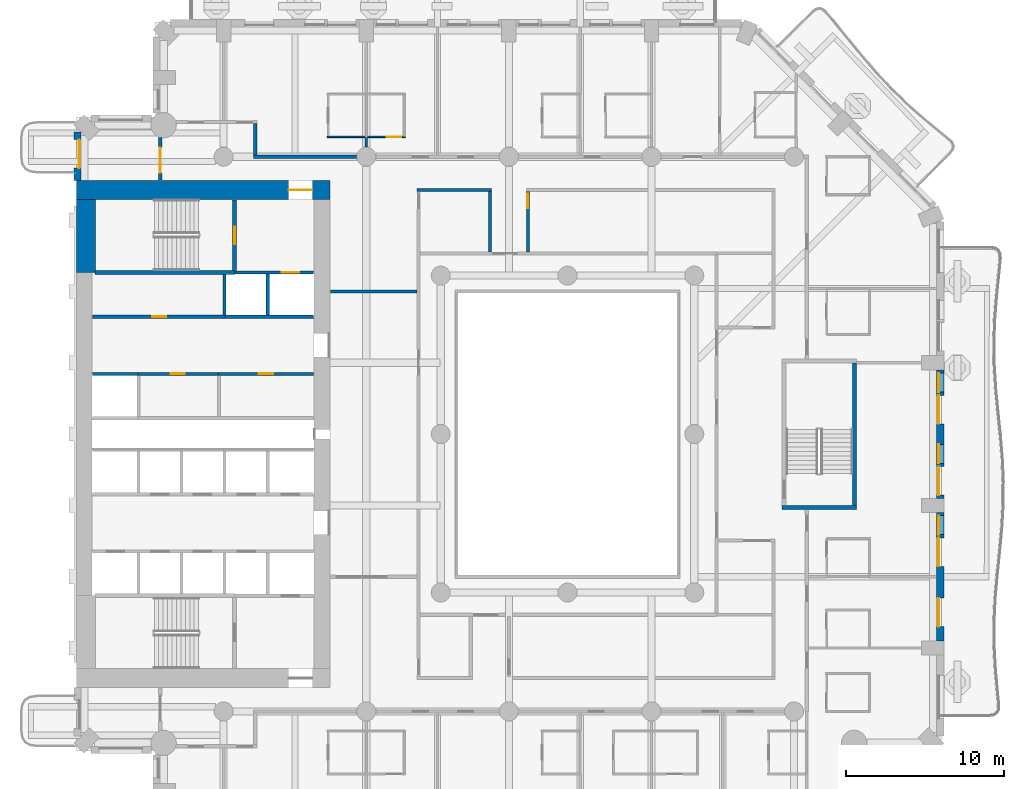
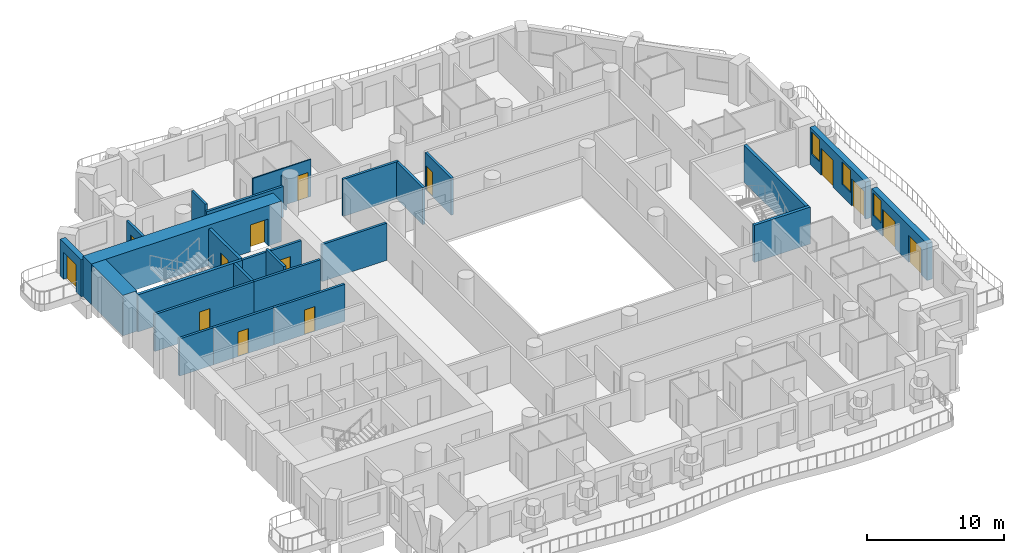
# One storey, part 7 of 20: 26 walls, 14 doors, 3 windows, 17 openings.
"""IFC4 building model written with IfcOpenShell, lengths in metres."""

from ifc_helpers import new_model, si_unit, direction, frame, frame_2d, origin, place, context, subcontext, project, spatial, rectangle, extrude, material, layer, layer_set, type_object, element, fill, save


model = new_model("IFC4")

# Units and contexts
model_context = context("Model", 3, precision=1e-05, world=origin(), true_north=direction((0.0, 1.0)))
body_context = subcontext(model_context, "Body", "Model", "MODEL_VIEW")
ifc_project = project(units=[si_unit("LENGTHUNIT", "METRE"), si_unit("AREAUNIT", "SQUARE_METRE"), si_unit("VOLUMEUNIT", "CUBIC_METRE"), si_unit("PLANEANGLEUNIT", "RADIAN"), si_unit("MASSUNIT", "GRAM", prefix="KILO")], contexts=[model_context])

# Site, building, storey
site_placement = place(None, origin())
site = spatial("IfcSite", under=ifc_project, at=site_placement, CompositionType="ELEMENT")
building_placement = place(site_placement, origin())
building = spatial("IfcBuilding", under=site, at=building_placement, Name="Cypress Arch Tower", CompositionType="ELEMENT")
storey_placement = place(building_placement, frame((0.0, 0.0, 59.10009765625)))
storey = spatial("IfcBuildingStorey", under=building, at=storey_placement, Name="L08", CompositionType="ELEMENT", Elevation=59.10009765625)

# Wall, opening, door
ifc_material_1 = material(Name="Brick (red buff blend)", Category="masonry")
ifc_layer_1 = layer(ifc_material_1, 0.449951171875)
ifc_layer_set_1 = layer_set([ifc_layer_1], Name="Brick pier and spandrel wall BW450")
wall_type_1 = type_object("IfcWallType", Name="Brick pier and spandrel wall BW450", PredefinedType="SOLIDWALL", material=ifc_layer_set_1)
wall_1_placement = place(storey_placement, frame((-29.925048828125, 19.063720703125, 0.0), z_axis=(0.0, 0.0, 1.0), x_axis=(0.0, -1.0, 0.0)))
wall_1 = element("IfcWall", 1, at=wall_1_placement, inside=storey, type_object=wall_type_1, Name="Brick wall L08 A00.0", PredefinedType="SOLIDWALL", context=body_context, shape_type="SweptSolid", body=[
    extrude(rectangle(XDim=3.063720703125, YDim=0.449951171875, at=frame_2d((1.53173828125, 0.0))), origin(), (0.0, 0.0, 1.0), 3.2998046875),
])
opening_1_placement = place(wall_1_placement, frame((0.481689453125, 0.0, 0.0)))
opening_1 = element("IfcOpeningElement", 2, at=opening_1_placement, cuts=wall_1, Name="Opening D-L08-A00.0.1", PredefinedType="OPENING", context=body_context, shape_type="SweptSolid", body=[
    extrude(rectangle(XDim=1.800048828125, YDim=2.39990234375, at=frame_2d((0.89990234375, 1.199951171875))), frame((0.0, 0.23486328125, 0.0), z_axis=(0.0, -1.0, 0.0), x_axis=(1.0, 0.0, 0.0)), (0.0, 0.0, 1.0), 0.469970703125),
])
ifc_material_2 = material(Name="Anodised aluminium, bronze finish, laminated low-emissivity double glazing, large-missile impact rated", Category="aluminium")
door_type_1 = type_object("IfcDoorType", Name="Balcony sliding door 1800x2400", OperationType="SLIDING_TO_LEFT", PredefinedType="DOOR", material=ifc_material_2)
door_1_placement = place(opening_1_placement, origin())
door_1 = element("IfcDoor", 3, at=door_1_placement, inside=storey, type_object=door_type_1, Name="Balcony door L08 A00.0.1", OperationType="SLIDING_TO_LEFT", OverallHeight=2.39990234375, OverallWidth=1.800048828125, PredefinedType="DOOR", context=body_context, shape_type="SweptSolid", body=[
    extrude(rectangle(XDim=1.800048828125, YDim=2.39990234375, at=frame_2d((0.89990234375, 1.199951171875))), frame((0.0, 0.1298828125, 0.0), z_axis=(0.0, -1.0, 0.0), x_axis=(1.0, 0.0, 0.0)), (0.0, 0.0, 1.0), 0.050048828125),
])
fill(opening_1, door_1)

# Wall, openings, doors, window
wall_2_placement = place(storey_placement, frame((24.52490234375, -13.050048828125, 0.0), z_axis=(0.0, 0.0, 1.0), x_axis=(0.0, 1.0, 0.0)))
wall_2 = element("IfcWall", 4, at=wall_2_placement, inside=storey, type_object=wall_type_1, Name="Brick wall L08 A06.1", PredefinedType="SOLIDWALL", context=body_context, shape_type="SweptSolid", body=[
    extrude(rectangle(XDim=8.10009765625, YDim=0.449951171875, at=frame_2d((4.050048828125, 0.0))), origin(), (0.0, 0.0, 1.0), 3.2998046875),
])
opening_2_placement = place(wall_2_placement, frame((0.89990234375, 0.0, 0.0)))
opening_2 = element("IfcOpeningElement", 5, at=opening_2_placement, cuts=wall_2, Name="Opening D-L08-A06.1.1", PredefinedType="OPENING", context=body_context, shape_type="SweptSolid", body=[
    extrude(rectangle(XDim=1.800048828125, YDim=2.39990234375, at=frame_2d((0.89990234375, 1.199951171875))), frame((0.0, 0.23486328125, 0.0), z_axis=(0.0, -1.0, 0.0), x_axis=(1.0, 0.0, 0.0)), (0.0, 0.0, 1.0), 0.469970703125),
])
opening_3_placement = place(wall_2_placement, frame((4.699951171875, 0.0, 0.0)))
opening_3 = element("IfcOpeningElement", 6, at=opening_3_placement, cuts=wall_2, Name="Opening D-L08-A06.1.2", PredefinedType="OPENING", context=body_context, shape_type="SweptSolid", body=[
    extrude(rectangle(XDim=1.800048828125, YDim=2.39990234375, at=frame_2d((0.89990234375, 1.199951171875))), frame((0.0, 0.23486328125, 0.0), z_axis=(0.0, -1.0, 0.0), x_axis=(1.0, 0.0, 0.0)), (0.0, 0.0, 1.0), 0.469970703125),
])
opening_4_placement = place(wall_2_placement, frame((6.699951171875, 0.0, 1.050048828125)))
opening_4 = element("IfcOpeningElement", 7, at=opening_4_placement, cuts=wall_2, Name="Opening W120HD", PredefinedType="OPENING", context=body_context, shape_type="SweptSolid", body=[
    extrude(rectangle(XDim=1.199951171875, YDim=2.0, at=frame_2d((0.60009765625, 1.0))), frame((0.0, 0.23486328125, 0.0), z_axis=(0.0, -1.0, 0.0), x_axis=(1.0, 0.0, 0.0)), (0.0, 0.0, 1.0), 0.469970703125),
])
door_2_placement = place(opening_2_placement, origin())
door_2 = element("IfcDoor", 8, at=door_2_placement, inside=storey, type_object=door_type_1, Name="Balcony door L08 A06.1.1", OperationType="SLIDING_TO_LEFT", OverallHeight=2.39990234375, OverallWidth=1.800048828125, PredefinedType="DOOR", context=body_context, shape_type="SweptSolid", body=[
    extrude(rectangle(XDim=1.800048828125, YDim=2.39990234375, at=frame_2d((0.89990234375, 1.199951171875))), frame((0.0, 0.1298828125, 0.0), z_axis=(0.0, -1.0, 0.0), x_axis=(1.0, 0.0, 0.0)), (0.0, 0.0, 1.0), 0.050048828125),
])
fill(opening_2, door_2)
door_3_placement = place(opening_3_placement, origin())
door_3 = element("IfcDoor", 9, at=door_3_placement, inside=storey, type_object=door_type_1, Name="Balcony door L08 A06.1.2", OperationType="SLIDING_TO_LEFT", OverallHeight=2.39990234375, OverallWidth=1.800048828125, PredefinedType="DOOR", context=body_context, shape_type="SweptSolid", body=[
    extrude(rectangle(XDim=1.800048828125, YDim=2.39990234375, at=frame_2d((0.89990234375, 1.199951171875))), frame((0.0, 0.1298828125, 0.0), z_axis=(0.0, -1.0, 0.0), x_axis=(1.0, 0.0, 0.0)), (0.0, 0.0, 1.0), 0.050048828125),
])
fill(opening_3, door_3)
ifc_material_3 = material(Name="Anodised aluminium, bronze finish, laminated low-emissivity double glazing, large-missile impact rated", Category="aluminium")
window_type = type_object("IfcWindowType", Name="Window Hotel 1200x2000 debris-rated", PartitioningType="SINGLE_PANEL", PredefinedType="WINDOW", material=ifc_material_3)
window_1_placement = place(opening_4_placement, origin())
window_1 = element("IfcWindow", 10, at=window_1_placement, inside=storey, type_object=window_type, Name="Window L08 A06.1.2", OverallHeight=2.0, OverallWidth=1.199951171875, PartitioningType="SINGLE_PANEL", PredefinedType="WINDOW", context=body_context, shape_type="SweptSolid", body=[
    extrude(rectangle(XDim=1.199951171875, YDim=2.0, at=frame_2d((0.60009765625, 1.0))), frame((0.0, 0.135009765625, 0.0), z_axis=(0.0, -1.0, 0.0), x_axis=(1.0, 0.0, 0.0)), (0.0, 0.0, 1.0), 0.06005859375),
])
fill(opening_4, window_1)

# Wall, openings, doors, windows
wall_3_placement = place(storey_placement, frame((24.52490234375, -4.050048828125, 0.0), z_axis=(0.0, 0.0, 1.0), x_axis=(0.0, 1.0, 0.0)))
wall_3 = element("IfcWall", 11, at=wall_3_placement, inside=storey, type_object=wall_type_1, Name="Brick wall L08 A06.2", PredefinedType="SOLIDWALL", context=body_context, shape_type="SweptSolid", body=[
    extrude(rectangle(XDim=8.10009765625, YDim=0.449951171875, at=frame_2d((4.050048828125, 0.0))), origin(), (0.0, 0.0, 1.0), 3.2998046875),
])
opening_5_placement = place(wall_3_placement, frame((0.199951171875, 0.0, 0.0)))
opening_5 = element("IfcOpeningElement", 12, at=opening_5_placement, cuts=wall_3, Name="Opening D-L08-A06.2.1", PredefinedType="OPENING", context=body_context, shape_type="SweptSolid", body=[
    extrude(rectangle(XDim=1.800048828125, YDim=2.39990234375, at=frame_2d((0.89990234375, 1.199951171875))), frame((0.0, 0.23486328125, 0.0), z_axis=(0.0, -1.0, 0.0), x_axis=(1.0, 0.0, 0.0)), (0.0, 0.0, 1.0), 0.469970703125),
])
opening_6_placement = place(wall_3_placement, frame((2.199951171875, 0.0, 1.050048828125)))
opening_6 = element("IfcOpeningElement", 13, at=opening_6_placement, cuts=wall_3, Name="Opening W120HD", PredefinedType="OPENING", context=body_context, shape_type="SweptSolid", body=[
    extrude(rectangle(XDim=1.199951171875, YDim=2.0, at=frame_2d((0.60009765625, 1.0))), frame((0.0, 0.23486328125, 0.0), z_axis=(0.0, -1.0, 0.0), x_axis=(1.0, 0.0, 0.0)), (0.0, 0.0, 1.0), 0.469970703125),
])
opening_7_placement = place(wall_3_placement, frame((4.699951171875, 0.0, 0.0)))
opening_7 = element("IfcOpeningElement", 14, at=opening_7_placement, cuts=wall_3, Name="Opening D-L08-A06.2.2", PredefinedType="OPENING", context=body_context, shape_type="SweptSolid", body=[
    extrude(rectangle(XDim=1.800048828125, YDim=2.39990234375, at=frame_2d((0.89990234375, 1.199951171875))), frame((0.0, 0.23486328125, 0.0), z_axis=(0.0, -1.0, 0.0), x_axis=(1.0, 0.0, 0.0)), (0.0, 0.0, 1.0), 0.469970703125),
])
opening_8_placement = place(wall_3_placement, frame((6.699951171875, 0.0, 1.050048828125)))
opening_8 = element("IfcOpeningElement", 15, at=opening_8_placement, cuts=wall_3, Name="Opening W120HD", PredefinedType="OPENING", context=body_context, shape_type="SweptSolid", body=[
    extrude(rectangle(XDim=1.199951171875, YDim=2.0, at=frame_2d((0.60009765625, 1.0))), frame((0.0, 0.23486328125, 0.0), z_axis=(0.0, -1.0, 0.0), x_axis=(1.0, 0.0, 0.0)), (0.0, 0.0, 1.0), 0.469970703125),
])
door_4_placement = place(opening_5_placement, origin())
door_4 = element("IfcDoor", 16, at=door_4_placement, inside=storey, type_object=door_type_1, Name="Balcony door L08 A06.2.1", OperationType="SLIDING_TO_LEFT", OverallHeight=2.39990234375, OverallWidth=1.800048828125, PredefinedType="DOOR", context=body_context, shape_type="SweptSolid", body=[
    extrude(rectangle(XDim=1.800048828125, YDim=2.39990234375, at=frame_2d((0.89990234375, 1.199951171875))), frame((0.0, 0.1298828125, 0.0), z_axis=(0.0, -1.0, 0.0), x_axis=(1.0, 0.0, 0.0)), (0.0, 0.0, 1.0), 0.050048828125),
])
fill(opening_5, door_4)
door_5_placement = place(opening_7_placement, origin())
door_5 = element("IfcDoor", 17, at=door_5_placement, inside=storey, type_object=door_type_1, Name="Balcony door L08 A06.2.2", OperationType="SLIDING_TO_LEFT", OverallHeight=2.39990234375, OverallWidth=1.800048828125, PredefinedType="DOOR", context=body_context, shape_type="SweptSolid", body=[
    extrude(rectangle(XDim=1.800048828125, YDim=2.39990234375, at=frame_2d((0.89990234375, 1.199951171875))), frame((0.0, 0.1298828125, 0.0), z_axis=(0.0, -1.0, 0.0), x_axis=(1.0, 0.0, 0.0)), (0.0, 0.0, 1.0), 0.050048828125),
])
fill(opening_7, door_5)
window_2_placement = place(opening_6_placement, origin())
window_2 = element("IfcWindow", 18, at=window_2_placement, inside=storey, type_object=window_type, Name="Window L08 A06.2.1", OverallHeight=2.0, OverallWidth=1.199951171875, PartitioningType="SINGLE_PANEL", PredefinedType="WINDOW", context=body_context, shape_type="SweptSolid", body=[
    extrude(rectangle(XDim=1.199951171875, YDim=2.0, at=frame_2d((0.60009765625, 1.0))), frame((0.0, 0.135009765625, 0.0), z_axis=(0.0, -1.0, 0.0), x_axis=(1.0, 0.0, 0.0)), (0.0, 0.0, 1.0), 0.06005859375),
])
fill(opening_6, window_2)
window_3_placement = place(opening_8_placement, origin())
window_3 = element("IfcWindow", 19, at=window_3_placement, inside=storey, type_object=window_type, Name="Window L08 A06.2.2", OverallHeight=2.0, OverallWidth=1.199951171875, PartitioningType="SINGLE_PANEL", PredefinedType="WINDOW", context=body_context, shape_type="SweptSolid", body=[
    extrude(rectangle(XDim=1.199951171875, YDim=2.0, at=frame_2d((0.60009765625, 1.0))), frame((0.0, 0.135009765625, 0.0), z_axis=(0.0, -1.0, 0.0), x_axis=(1.0, 0.0, 0.0)), (0.0, 0.0, 1.0), 0.06005859375),
])
fill(opening_8, window_3)

# Wall, opening, door
ifc_material_4 = material(Name="Concrete C80/95", Category="concrete")
ifc_layer_2 = layer(ifc_material_4, 1.199951171875)
ifc_layer_set_2 = layer_set([ifc_layer_2], Name="Core wall CW1200 C80/95")
wall_type_2 = type_object("IfcWallType", Name="Core wall CW1200 C80/95", PredefinedType="SHEAR", material=ifc_layer_set_2)
wall_4_placement = place(storey_placement, frame((-30.0, 15.39990234375, 0.0), z_axis=(0.0, 0.0, 1.0), x_axis=(1.0, 0.0, 0.0)))
wall_4 = element("IfcWall", 20, at=wall_4_placement, inside=storey, type_object=wall_type_2, Name="Core wall", PredefinedType="SHEAR", context=body_context, shape_type="SweptSolid", body=[
    extrude(rectangle(XDim=16.0, YDim=1.199951171875, at=frame_2d((8.0, 0.0))), origin(), (0.0, 0.0, 1.0), 3.599853515625),
])
opening_9_placement = place(wall_4_placement, frame((13.39990234375, 0.0, 0.0)))
opening_9 = element("IfcOpeningElement", 21, at=opening_9_placement, cuts=wall_4, Name="Opening D07", PredefinedType="OPENING", context=body_context, shape_type="SweptSolid", body=[
    extrude(rectangle(XDim=1.5, YDim=2.39990234375, at=frame_2d((0.75, 1.199951171875))), frame((0.0, 0.60986328125, 0.0), z_axis=(0.0, -1.0, 0.0), x_axis=(1.0, 0.0, 0.0)), (0.0, 0.0, 1.0), 1.219970703125),
])
ifc_material_5 = material(Name="Steel framed glazed door, fire resisting", Category="steel")
door_type_2 = type_object("IfcDoorType", Name="Lobby door D07 1500x2400", OperationType="DOUBLE_DOOR_SINGLE_SWING", PredefinedType="DOOR", material=ifc_material_5)
door_6_placement = place(opening_9_placement, origin())
door_6 = element("IfcDoor", 22, at=door_6_placement, inside=storey, type_object=door_type_2, Name="Lobby door", OperationType="DOUBLE_DOOR_SINGLE_SWING", OverallHeight=2.39990234375, OverallWidth=1.5, PredefinedType="DOOR", context=body_context, shape_type="SweptSolid", body=[
    extrude(rectangle(XDim=1.5, YDim=2.39990234375, at=frame_2d((0.75, 1.199951171875))), frame((0.0, 0.02490234375, 0.0), z_axis=(0.0, -1.0, 0.0), x_axis=(1.0, 0.0, 0.0)), (0.0, 0.0, 1.0), 0.050048828125),
])
fill(opening_9, door_6)

# Wall
wall_5_placement = place(storey_placement, frame((-29.39990234375, 10.199951171875, 0.0), z_axis=(0.0, 0.0, 1.0), x_axis=(0.0, 1.0, 0.0)))
element("IfcWall", 23, at=wall_5_placement, inside=storey, type_object=wall_type_2, Name="Core wall", PredefinedType="SHEAR", context=body_context, shape_type="SweptSolid", body=[
    extrude(rectangle(XDim=4.60009765625, YDim=1.199951171875, at=frame_2d((2.300048828125, 0.0))), origin(), (0.0, 0.0, 1.0), 3.599853515625),
])

# Wall, opening, door
ifc_material_6 = material(Name="Concrete blockwork, plastered, rated", Category="masonry")
ifc_layer_3 = layer(ifc_material_6, 0.199951171875)
ifc_layer_set_3 = layer_set([ifc_layer_3], Name="Corridor wall FW200")
wall_type_3 = type_object("IfcWallType", Name="Corridor wall FW200", PredefinedType="PARTITIONING", material=ifc_layer_set_3)
wall_6_placement = place(storey_placement, frame((-28.969970703125, 7.39990234375, 0.0), z_axis=(0.0, 0.0, 1.0), x_axis=(1.0, 0.0, 0.0)))
wall_6 = element("IfcWall", 24, at=wall_6_placement, inside=storey, type_object=wall_type_3, Name="Corridor wall", PredefinedType="PARTITIONING", context=body_context, shape_type="SweptSolid", body=[
    extrude(rectangle(XDim=8.349853515625, YDim=0.199951171875, at=frame_2d((4.1748046875, 0.0))), origin(), (0.0, 0.0, 1.0), 3.2998046875),
])
opening_10_placement = place(wall_6_placement, frame((3.75, 0.0, 0.0)))
opening_10 = element("IfcOpeningElement", 25, at=opening_10_placement, cuts=wall_6, Name="Opening D05", PredefinedType="OPENING", context=body_context, shape_type="SweptSolid", body=[
    extrude(rectangle(XDim=0.89990234375, YDim=2.199951171875, at=frame_2d((0.449951171875, 1.10009765625))), frame((0.0, 0.10986328125, 0.0), z_axis=(0.0, -1.0, 0.0), x_axis=(1.0, 0.0, 0.0)), (0.0, 0.0, 1.0), 0.219970703125),
])
ifc_material_7 = material(Name="Timber flush door", Category="wood")
door_type_3 = type_object("IfcDoorType", Name="Service door D05 900x2200", OperationType="SINGLE_SWING_LEFT", PredefinedType="DOOR", material=ifc_material_7)
door_7_placement = place(opening_10_placement, origin())
door_7 = element("IfcDoor", 26, at=door_7_placement, inside=storey, type_object=door_type_3, Name="Service door", OperationType="SINGLE_SWING_RIGHT", OverallHeight=2.199951171875, OverallWidth=0.89990234375, PredefinedType="DOOR", context=body_context, shape_type="SweptSolid", body=[
    extrude(rectangle(XDim=0.89990234375, YDim=2.199951171875, at=frame_2d((0.449951171875, 1.10009765625))), frame((0.0, 0.02490234375, 0.0), z_axis=(0.0, -1.0, 0.0), x_axis=(1.0, 0.0, 0.0)), (0.0, 0.0, 1.0), 0.050048828125),
])
fill(opening_10, door_7)

wall_7_placement = place(storey_placement, frame((-26.10009765625, 3.800048828125, 0.0), z_axis=(0.0, 0.0, 1.0), x_axis=(1.0, 0.0, 0.0)))
wall_7 = element("IfcWall", 27, at=wall_7_placement, inside=storey, type_object=wall_type_3, Name="Corridor wall", PredefinedType="PARTITIONING", context=body_context, shape_type="SweptSolid", body=[
    extrude(rectangle(XDim=5.080078125, YDim=0.199951171875, at=frame_2d((2.5400390625, 0.0))), origin(), (0.0, 0.0, 1.0), 3.2998046875),
])
opening_11_placement = place(wall_7_placement, frame((2.050048828125, 0.0, 0.0)))
opening_11 = element("IfcOpeningElement", 28, at=opening_11_placement, cuts=wall_7, Name="Opening D05", PredefinedType="OPENING", context=body_context, shape_type="SweptSolid", body=[
    extrude(rectangle(XDim=0.89990234375, YDim=2.199951171875, at=frame_2d((0.449951171875, 1.10009765625))), frame((0.0, 0.10986328125, 0.0), z_axis=(0.0, -1.0, 0.0), x_axis=(1.0, 0.0, 0.0)), (0.0, 0.0, 1.0), 0.219970703125),
])
door_8_placement = place(opening_11_placement, origin())
door_8 = element("IfcDoor", 29, at=door_8_placement, inside=storey, type_object=door_type_3, Name="Service door", OperationType="SINGLE_SWING_RIGHT", OverallHeight=2.199951171875, OverallWidth=0.89990234375, PredefinedType="DOOR", context=body_context, shape_type="SweptSolid", body=[
    extrude(rectangle(XDim=0.89990234375, YDim=2.199951171875, at=frame_2d((0.449951171875, 1.10009765625))), frame((0.0, 0.02490234375, 0.0), z_axis=(0.0, -1.0, 0.0), x_axis=(1.0, 0.0, 0.0)), (0.0, 0.0, 1.0), 0.050048828125),
])
fill(opening_11, door_8)

wall_8_placement = place(storey_placement, frame((-24.699951171875, 16.030029296875, 0.0), z_axis=(0.0, 0.0, 1.0), x_axis=(0.0, 1.0, 0.0)))
wall_8 = element("IfcWall", 30, at=wall_8_placement, inside=storey, type_object=wall_type_3, Name="Corridor wall", PredefinedType="PARTITIONING", context=body_context, shape_type="SweptSolid", body=[
    extrude(rectangle(XDim=2.670166015625, YDim=0.199951171875, at=frame_2d((1.3349609375, 0.0))), origin(), (0.0, 0.0, 1.0), 3.2998046875),
])
opening_12_placement = place(wall_8_placement, frame((0.449951171875, 0.0, 0.0)))
opening_12 = element("IfcOpeningElement", 31, at=opening_12_placement, cuts=wall_8, Name="Opening D10", PredefinedType="OPENING", context=body_context, shape_type="SweptSolid", body=[
    extrude(rectangle(XDim=1.60009765625, YDim=2.39990234375, at=frame_2d((0.800048828125, 1.199951171875))), frame((0.0, 0.10986328125, 0.0), z_axis=(0.0, -1.0, 0.0), x_axis=(1.0, 0.0, 0.0)), (0.0, 0.0, 1.0), 0.219970703125),
])
ifc_material_8 = material(Name="Black aluminium glazed door", Category="aluminium")
door_type_4 = type_object("IfcDoorType", Name="Amenity door D10 1600x2400", OperationType="DOUBLE_DOOR_SINGLE_SWING", PredefinedType="DOOR", material=ifc_material_8)
door_9_placement = place(opening_12_placement, origin())
door_9 = element("IfcDoor", 32, at=door_9_placement, inside=storey, type_object=door_type_4, Name="Amenity door", OperationType="DOUBLE_DOOR_SINGLE_SWING", OverallHeight=2.39990234375, OverallWidth=1.60009765625, PredefinedType="DOOR", context=body_context, shape_type="SweptSolid", body=[
    extrude(rectangle(XDim=1.60009765625, YDim=2.39990234375, at=frame_2d((0.800048828125, 1.199951171875))), frame((0.0, 0.02490234375, 0.0), z_axis=(0.0, -1.0, 0.0), x_axis=(1.0, 0.0, 0.0)), (0.0, 0.0, 1.0), 0.050048828125),
])
fill(opening_12, door_9)

# Walls
wall_9_placement = place(storey_placement, frame((-18.699951171875, 17.60009765625, 0.0), z_axis=(0.0, 0.0, 1.0), x_axis=(0.0, 1.0, 0.0)))
element("IfcWall", 33, at=wall_9_placement, inside=storey, type_object=wall_type_3, Name="Corridor wall", PredefinedType="PARTITIONING", context=body_context, shape_type="SweptSolid", body=[
    extrude(rectangle(XDim=2.0, YDim=0.199951171875, at=frame_2d((1.0, 0.0))), origin(), (0.0, 0.0, 1.0), 3.2998046875),
])
wall_10_placement = place(storey_placement, frame((-18.800048828125, 17.5, 0.0), z_axis=(0.0, 0.0, 1.0), x_axis=(1.0, 0.0, 0.0)))
element("IfcWall", 34, at=wall_10_placement, inside=storey, type_object=wall_type_3, Name="Corridor wall", PredefinedType="PARTITIONING", context=body_context, shape_type="SweptSolid", body=[
    extrude(rectangle(XDim=6.5, YDim=0.199951171875, at=frame_2d((3.25, 0.0))), origin(), (0.0, 0.0, 1.0), 2.75),
])
wall_11_placement = place(storey_placement, frame((-13.969970703125, 9.0, 0.0), z_axis=(0.0, 0.0, 1.0), x_axis=(1.0, 0.0, 0.0)))
element("IfcWall", 35, at=wall_11_placement, inside=storey, type_object=wall_type_3, Name="Corridor wall", PredefinedType="PARTITIONING", context=body_context, shape_type="SweptSolid", body=[
    extrude(rectangle(XDim=5.469970703125, YDim=0.199951171875, at=frame_2d((2.73486328125, 0.0))), origin(), (0.0, 0.0, 1.0), 3.2998046875),
])
wall_12_placement = place(storey_placement, frame((-8.5, 15.39990234375, 0.0), z_axis=(0.0, 0.0, 1.0), x_axis=(1.0, 0.0, 0.0)))
element("IfcWall", 36, at=wall_12_placement, inside=storey, type_object=wall_type_3, Name="Corridor wall", PredefinedType="PARTITIONING", context=body_context, shape_type="SweptSolid", body=[
    extrude(rectangle(XDim=4.699951171875, YDim=0.199951171875, at=frame_2d((2.35009765625, 0.0))), origin(), (0.0, 0.0, 1.0), 3.2998046875),
])
wall_13_placement = place(storey_placement, frame((-3.89990234375, 11.5, 0.0), z_axis=(0.0, 0.0, 1.0), x_axis=(0.0, 1.0, 0.0)))
element("IfcWall", 37, at=wall_13_placement, inside=storey, type_object=wall_type_3, Name="Corridor wall", PredefinedType="PARTITIONING", context=body_context, shape_type="SweptSolid", body=[
    extrude(rectangle(XDim=3.800048828125, YDim=0.199951171875, at=frame_2d((1.89990234375, 0.0))), origin(), (0.0, 0.0, 1.0), 3.2998046875),
])

# Wall, opening, door
wall_14_placement = place(storey_placement, frame((-1.5, 11.5, 0.0), z_axis=(0.0, 0.0, 1.0), x_axis=(0.0, 1.0, 0.0)))
wall_14 = element("IfcWall", 38, at=wall_14_placement, inside=storey, type_object=wall_type_3, Name="Corridor wall", PredefinedType="PARTITIONING", context=body_context, shape_type="SweptSolid", body=[
    extrude(rectangle(XDim=3.800048828125, YDim=0.199951171875, at=frame_2d((1.89990234375, 0.0))), origin(), (0.0, 0.0, 1.0), 3.2998046875),
])
opening_13_placement = place(wall_14_placement, frame((2.75, 0.0, 0.0)))
opening_13 = element("IfcOpeningElement", 39, at=opening_13_placement, cuts=wall_14, Name="Opening D05", PredefinedType="OPENING", context=body_context, shape_type="SweptSolid", body=[
    extrude(rectangle(XDim=0.89990234375, YDim=2.199951171875, at=frame_2d((0.449951171875, 1.10009765625))), frame((0.0, 0.10986328125, 0.0), z_axis=(0.0, -1.0, 0.0), x_axis=(1.0, 0.0, 0.0)), (0.0, 0.0, 1.0), 0.219970703125),
])
door_10_placement = place(opening_13_placement, origin())
door_10 = element("IfcDoor", 40, at=door_10_placement, inside=storey, type_object=door_type_3, Name="Service door", OperationType="SINGLE_SWING_LEFT", OverallHeight=2.199951171875, OverallWidth=0.89990234375, PredefinedType="DOOR", context=body_context, shape_type="SweptSolid", body=[
    extrude(rectangle(XDim=0.89990234375, YDim=2.199951171875, at=frame_2d((0.449951171875, 1.10009765625))), frame((0.0, 0.02490234375, 0.0), z_axis=(0.0, -1.0, 0.0), x_axis=(1.0, 0.0, 0.0)), (0.0, 0.0, 1.0), 0.050048828125),
])
fill(opening_13, door_10)

# Wall
ifc_material_9 = material(Name="Blockwork, plastered both sides", Category="masonry")
ifc_layer_4 = layer(ifc_material_9, 0.14990234375)
ifc_layer_set_4 = layer_set([ifc_layer_4], Name="Partition PW150")
wall_type_4 = type_object("IfcWallType", Name="Partition PW150", PredefinedType="PARTITIONING", material=ifc_layer_set_4)
wall_15_placement = place(storey_placement, frame((-11.699951171875, 18.10009765625, 0.0), z_axis=(0.0, 0.0, 1.0), x_axis=(0.0, 1.0, 0.0)))
element("IfcWall", 41, at=wall_15_placement, inside=storey, type_object=wall_type_4, Name="Partition", PredefinedType="PARTITIONING", context=body_context, shape_type="SweptSolid", body=[
    extrude(rectangle(XDim=0.6298828125, YDim=0.14990234375, at=frame_2d((0.31494140625, 0.0))), origin(), (0.0, 0.0, 1.0), 2.75),
])

# Wall, opening, door
ifc_material_10 = material(Name="Reinforced blockwork, plastered, rated", Category="masonry")
ifc_layer_5 = layer(ifc_material_10, 0.199951171875)
ifc_layer_set_5 = layer_set([ifc_layer_5], Name="Plant and riser wall PL200")
wall_type_5 = type_object("IfcWallType", Name="Plant and riser wall PL200", PredefinedType="PARTITIONING", material=ifc_layer_set_5)
wall_16_placement = place(storey_placement, frame((-21.02001953125, 3.800048828125, 0.0), z_axis=(0.0, 0.0, 1.0), x_axis=(1.0, 0.0, 0.0)))
wall_16 = element("IfcWall", 42, at=wall_16_placement, inside=storey, type_object=wall_type_5, Name="Plant and riser wall", PredefinedType="PARTITIONING", context=body_context, shape_type="SweptSolid", body=[
    extrude(rectangle(XDim=5.989990234375, YDim=0.199951171875, at=frame_2d((2.9951171875, 0.0))), origin(), (0.0, 0.0, 1.0), 3.2998046875),
])
opening_14_placement = place(wall_16_placement, frame((2.550048828125, 0.0, 0.0)))
opening_14 = element("IfcOpeningElement", 43, at=opening_14_placement, cuts=wall_16, Name="Opening D05", PredefinedType="OPENING", context=body_context, shape_type="SweptSolid", body=[
    extrude(rectangle(XDim=0.89990234375, YDim=2.199951171875, at=frame_2d((0.449951171875, 1.10009765625))), frame((0.0, 0.10986328125, 0.0), z_axis=(0.0, -1.0, 0.0), x_axis=(1.0, 0.0, 0.0)), (0.0, 0.0, 1.0), 0.219970703125),
])
door_11_placement = place(opening_14_placement, origin())
door_11 = element("IfcDoor", 44, at=door_11_placement, inside=storey, type_object=door_type_3, Name="Service door", OperationType="SINGLE_SWING_RIGHT", OverallHeight=2.199951171875, OverallWidth=0.89990234375, PredefinedType="DOOR", context=body_context, shape_type="SweptSolid", body=[
    extrude(rectangle(XDim=0.89990234375, YDim=2.199951171875, at=frame_2d((0.449951171875, 1.10009765625))), frame((0.0, 0.02490234375, 0.0), z_axis=(0.0, -1.0, 0.0), x_axis=(1.0, 0.0, 0.0)), (0.0, 0.0, 1.0), 0.050048828125),
])
fill(opening_14, door_11)

# Walls
ifc_material_11 = material(Name="Concrete C50/60", Category="concrete")
ifc_layer_6 = layer(ifc_material_11, 0.199951171875)
ifc_layer_set_6 = layer_set([ifc_layer_6], Name="Shaft wall SH200")
wall_type_6 = type_object("IfcWallType", Name="Shaft wall SH200", PredefinedType="SHEAR", material=ifc_layer_set_6)
wall_17_placement = place(storey_placement, frame((-28.969970703125, 3.800048828125, 0.0), z_axis=(0.0, 0.0, 1.0), x_axis=(1.0, 0.0, 0.0)))
element("IfcWall", 45, at=wall_17_placement, inside=storey, type_object=wall_type_6, Name="Shaft wall", PredefinedType="SHEAR", context=body_context, shape_type="SweptSolid", body=[
    extrude(rectangle(XDim=2.869873046875, YDim=0.199951171875, at=frame_2d((1.43505859375, 0.0))), origin(), (0.0, 0.0, 1.0), 3.2998046875),
])
wall_18_placement = place(storey_placement, frame((-20.639892578125, 7.5, 0.0), z_axis=(0.0, 0.0, 1.0), x_axis=(0.0, 1.0, 0.0)))
element("IfcWall", 46, at=wall_18_placement, inside=storey, type_object=wall_type_6, Name="Shaft wall", PredefinedType="SHEAR", context=body_context, shape_type="SweptSolid", body=[
    extrude(rectangle(XDim=2.574951171875, YDim=0.199951171875, at=frame_2d((1.28759765625, 0.0))), origin(), (0.0, 0.0, 1.0), 3.2998046875),
])
wall_19_placement = place(storey_placement, frame((-20.6201171875, 7.39990234375, 0.0), z_axis=(0.0, 0.0, 1.0), x_axis=(1.0, 0.0, 0.0)))
element("IfcWall", 47, at=wall_19_placement, inside=storey, type_object=wall_type_6, Name="Shaft wall", PredefinedType="SHEAR", context=body_context, shape_type="SweptSolid", body=[
    extrude(rectangle(XDim=5.590087890625, YDim=0.199951171875, at=frame_2d((2.794921875, 0.0))), origin(), (0.0, 0.0, 1.0), 3.2998046875),
])

# Wall, opening, door
wall_20_placement = place(storey_placement, frame((-19.97998046875, 10.199951171875, 0.0), z_axis=(0.0, 0.0, 1.0), x_axis=(1.0, 0.0, 0.0)))
wall_20 = element("IfcWall", 48, at=wall_20_placement, inside=storey, type_object=wall_type_6, Name="Shaft wall", PredefinedType="SHEAR", context=body_context, shape_type="SweptSolid", body=[
    extrude(rectangle(XDim=4.949951171875, YDim=0.199951171875, at=frame_2d((2.47509765625, 0.0))), origin(), (0.0, 0.0, 1.0), 3.2998046875),
])
opening_15_placement = place(wall_20_placement, frame((2.949951171875, 0.0, 0.0)))
opening_15 = element("IfcOpeningElement", 49, at=opening_15_placement, cuts=wall_20, Name="Opening LD-FL2", PredefinedType="OPENING", context=body_context, shape_type="SweptSolid", body=[
    extrude(rectangle(XDim=1.10009765625, YDim=2.199951171875, at=frame_2d((0.550048828125, 1.10009765625))), frame((0.0, 0.10986328125, 0.0), z_axis=(0.0, -1.0, 0.0), x_axis=(1.0, 0.0, 0.0)), (0.0, 0.0, 1.0), 0.219970703125),
])
ifc_material_12 = material(Name="Stainless steel centre-opening landing door, rated", Category="steel")
door_type_5 = type_object("IfcDoorType", Name="Lift landing door LD 1100x2200", OperationType="DOUBLE_DOOR_SLIDING", PredefinedType="DOOR", material=ifc_material_12)
door_12_placement = place(opening_15_placement, origin())
door_12 = element("IfcDoor", 50, at=door_12_placement, inside=storey, type_object=door_type_5, Name="Lift landing doors FL2", OperationType="DOUBLE_DOOR_SLIDING", OverallHeight=2.199951171875, OverallWidth=1.10009765625, PredefinedType="DOOR", context=body_context, shape_type="SweptSolid", body=[
    extrude(rectangle(XDim=1.10009765625, YDim=2.199951171875, at=frame_2d((0.550048828125, 1.10009765625))), frame((0.0, 0.02490234375, 0.0), z_axis=(0.0, -1.0, 0.0), x_axis=(1.0, 0.0, 0.0)), (0.0, 0.0, 1.0), 0.050048828125),
])
fill(opening_15, door_12)

# Walls
wall_21_placement = place(storey_placement, frame((-17.919921875, 7.5, 0.0), z_axis=(0.0, 0.0, 1.0), x_axis=(0.0, 1.0, 0.0)))
element("IfcWall", 51, at=wall_21_placement, inside=storey, type_object=wall_type_6, Name="Shaft wall", PredefinedType="SHEAR", context=body_context, shape_type="SweptSolid", body=[
    extrude(rectangle(XDim=2.60009765625, YDim=0.199951171875, at=frame_2d((1.300048828125, 0.0))), origin(), (0.0, 0.0, 1.0), 3.599853515625),
])
ifc_material_13 = material(Name="Concrete C50/60", Category="concrete")
ifc_layer_7 = layer(ifc_material_13, 0.25)
ifc_layer_set_7 = layer_set([ifc_layer_7], Name="Stair enclosure wall SW250")
wall_type_7 = type_object("IfcWallType", Name="Stair enclosure wall SW250", PredefinedType="SHEAR", material=ifc_layer_set_7)
wall_22_placement = place(storey_placement, frame((-28.81005859375, 10.199951171875, 0.0), z_axis=(0.0, 0.0, 1.0), x_axis=(1.0, 0.0, 0.0)))
element("IfcWall", 52, at=wall_22_placement, inside=storey, type_object=wall_type_7, Name="Stair enclosure wall", PredefinedType="SHEAR", context=body_context, shape_type="SweptSolid", body=[
    extrude(rectangle(XDim=8.830078125, YDim=0.25, at=frame_2d((4.4150390625, 0.0))), origin(), (0.0, 0.0, 1.0), 3.2998046875),
])

# Wall, opening, door
wall_23_placement = place(storey_placement, frame((-20.0, 10.324951171875, 0.0), z_axis=(0.0, 0.0, 1.0), x_axis=(0.0, 1.0, 0.0)))
wall_23 = element("IfcWall", 53, at=wall_23_placement, inside=storey, type_object=wall_type_7, Name="Stair enclosure wall", PredefinedType="SHEAR", context=body_context, shape_type="SweptSolid", body=[
    extrude(rectangle(XDim=4.445068359375, YDim=0.25, at=frame_2d((2.22265625, 0.0))), origin(), (0.0, 0.0, 1.0), 3.2998046875),
])
opening_16_placement = place(wall_23_placement, frame((1.64990234375, 0.0, 0.0)))
opening_16 = element("IfcOpeningElement", 54, at=opening_16_placement, cuts=wall_23, Name="Opening D06", PredefinedType="OPENING", context=body_context, shape_type="SweptSolid", body=[
    extrude(rectangle(XDim=1.10009765625, YDim=2.199951171875, at=frame_2d((0.550048828125, 1.10009765625))), frame((0.0, 0.135009765625, 0.0), z_axis=(0.0, -1.0, 0.0), x_axis=(1.0, 0.0, 0.0)), (0.0, 0.0, 1.0), 0.27001953125),
])
ifc_material_14 = material(Name="Steel door, fire resisting, panic bar", Category="steel")
door_type_6 = type_object("IfcDoorType", Name="Stair door D06 1100x2200", OperationType="SINGLE_SWING_LEFT", PredefinedType="DOOR", material=ifc_material_14)
door_13_placement = place(opening_16_placement, origin())
door_13 = element("IfcDoor", 55, at=door_13_placement, inside=storey, type_object=door_type_6, Name="Stair door", OperationType="SINGLE_SWING_LEFT", OverallHeight=2.199951171875, OverallWidth=1.10009765625, PredefinedType="DOOR", context=body_context, shape_type="SweptSolid", body=[
    extrude(rectangle(XDim=1.10009765625, YDim=2.199951171875, at=frame_2d((0.550048828125, 1.10009765625))), frame((0.0, 0.02490234375, 0.0), z_axis=(0.0, -1.0, 0.0), x_axis=(1.0, 0.0, 0.0)), (0.0, 0.0, 1.0), 0.050048828125),
])
fill(opening_16, door_13)

# Walls
wall_24_placement = place(storey_placement, frame((14.550048828125, -4.625, 0.0), z_axis=(0.0, 0.0, 1.0), x_axis=(1.0, 0.0, 0.0)))
element("IfcWall", 56, at=wall_24_placement, inside=storey, type_object=wall_type_7, Name="Stair enclosure wall", PredefinedType="SHEAR", context=body_context, shape_type="SweptSolid", body=[
    extrude(rectangle(XDim=4.699951171875, YDim=0.25, at=frame_2d((2.35009765625, 0.0))), origin(), (0.0, 0.0, 1.0), 3.2998046875),
])
wall_25_placement = place(storey_placement, frame((19.125, -4.5, 0.0), z_axis=(0.0, 0.0, 1.0), x_axis=(0.0, 1.0, 0.0)))
element("IfcWall", 57, at=wall_25_placement, inside=storey, type_object=wall_type_7, Name="Stair enclosure wall", PredefinedType="SHEAR", context=body_context, shape_type="SweptSolid", body=[
    extrude(rectangle(XDim=9.0, YDim=0.25, at=frame_2d((4.5, 0.0))), origin(), (0.0, 0.0, 1.0), 3.2998046875),
])

# Wall, opening, door
ifc_material_15 = material(Name="Moisture resistant board on steel studs, tiled", Category="steel")
ifc_layer_8 = layer(ifc_material_15, 0.10009765625)
ifc_layer_set_8 = layer_set([ifc_layer_8], Name="Wet wall PW100")
wall_type_8 = type_object("IfcWallType", Name="Wet wall PW100", PredefinedType="PARTITIONING", material=ifc_layer_set_8)
wall_26_placement = place(storey_placement, frame((-14.14599609375, 18.75, 0.0), z_axis=(0.0, 0.0, 1.0), x_axis=(1.0, 0.0, 0.0)))
wall_26 = element("IfcWall", 58, at=wall_26_placement, inside=storey, type_object=wall_type_8, Name="Wet wall", PredefinedType="PARTITIONING", context=body_context, shape_type="SweptSolid", body=[
    extrude(rectangle(XDim=4.89208984375, YDim=0.10009765625, at=frame_2d((2.446044921875, 0.0))), origin(), (0.0, 0.0, 1.0), 3.2998046875),
])
opening_17_placement = place(wall_26_placement, frame((3.75, 0.0, 0.0)))
opening_17 = element("IfcOpeningElement", 59, at=opening_17_placement, cuts=wall_26, Name="Opening D03", PredefinedType="OPENING", context=body_context, shape_type="SweptSolid", body=[
    extrude(rectangle(XDim=0.89990234375, YDim=2.199951171875, at=frame_2d((0.449951171875, 1.10009765625))), frame((0.0, 0.06005859375, 0.0), z_axis=(0.0, -1.0, 0.0), x_axis=(1.0, 0.0, 0.0)), (0.0, 0.0, 1.0), 0.1201171875),
])
ifc_material_16 = material(Name="Timber flush door, moisture resistant", Category="wood")
door_type_7 = type_object("IfcDoorType", Name="Bathroom door D03 900x2200", OperationType="SINGLE_SWING_LEFT", PredefinedType="DOOR", material=ifc_material_16)
door_14_placement = place(opening_17_placement, origin())
door_14 = element("IfcDoor", 60, at=door_14_placement, inside=storey, type_object=door_type_7, Name="Bathroom door", OperationType="SINGLE_SWING_RIGHT", OverallHeight=2.199951171875, OverallWidth=0.89990234375, PredefinedType="DOOR", context=body_context, shape_type="SweptSolid", body=[
    extrude(rectangle(XDim=0.89990234375, YDim=2.199951171875, at=frame_2d((0.449951171875, 1.10009765625))), frame((0.0, 0.02490234375, 0.0), z_axis=(0.0, -1.0, 0.0), x_axis=(1.0, 0.0, 0.0)), (0.0, 0.0, 1.0), 0.050048828125),
])
fill(opening_17, door_14)

save(model, "model.ifc")
